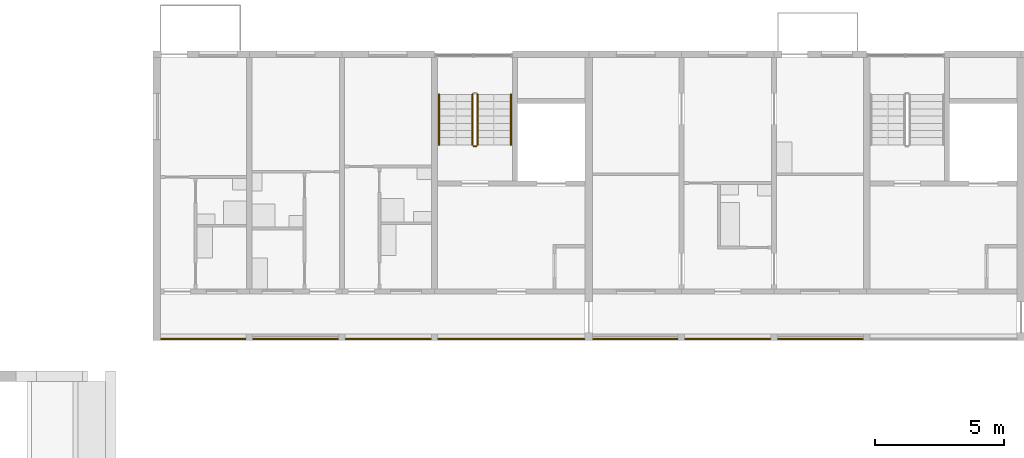
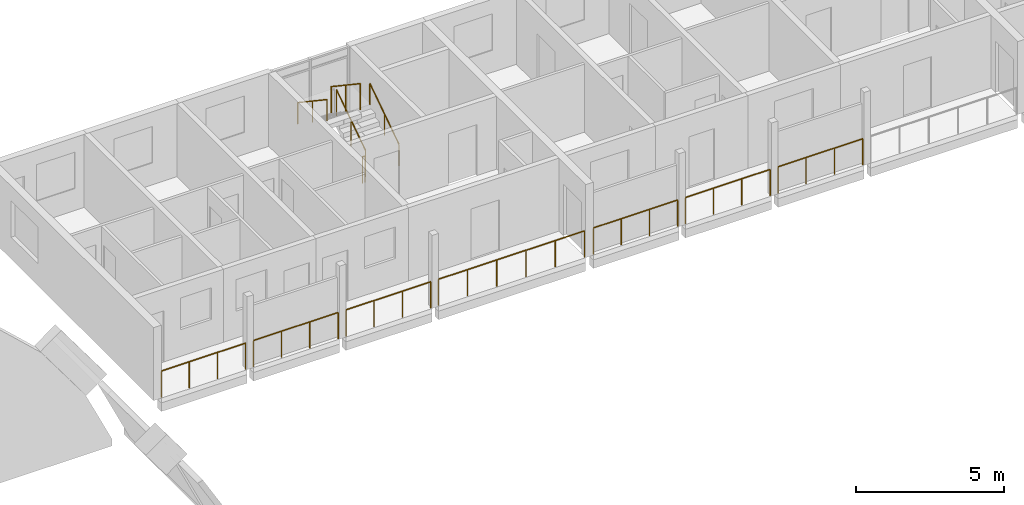
# One storey, part 89 of 100: 12 railings.
"""IFC4 building model written with IfcOpenShell, lengths in metres."""

from ifc_helpers import new_model, si_unit, direction, frame, origin, origin_2d, place, context, subcontext, project, spatial, circle, extrude, material, type_object, element, save


model = new_model("IFC4")

# Units and contexts
model_context = context("Model", 3, precision=1e-05, world=origin(), true_north=direction((0.0, 1.0)))
body_context = subcontext(model_context, "Body", "Model", "MODEL_VIEW")
ifc_project = project(units=[si_unit("LENGTHUNIT", "METRE"), si_unit("AREAUNIT", "SQUARE_METRE"), si_unit("VOLUMEUNIT", "CUBIC_METRE"), si_unit("PLANEANGLEUNIT", "RADIAN"), si_unit("MASSUNIT", "GRAM", prefix="KILO")], contexts=[model_context])

# Site, building, storey
site_placement = place(None, origin())
site = spatial("IfcSite", under=ifc_project, at=site_placement, CompositionType="ELEMENT")
building_placement = place(site_placement, origin())
building = spatial("IfcBuilding", under=site, at=building_placement, Name="Ridgestep Commons", CompositionType="ELEMENT")
storey_placement = place(building_placement, frame((0.0, 0.0, 9.0)))
storey = spatial("IfcBuildingStorey", under=building, at=storey_placement, Name="L03", CompositionType="ELEMENT", Elevation=9.0)

# Railings
ifc_material_1 = material(Name="Structural steel S355JR", Category="steel")
railing_type_1 = type_object("IfcRailingType", Name="Guard 1100", PredefinedType="GUARDRAIL", material=ifc_material_1)
railing_1_placement = place(storey_placement, frame((146.970947265625, 66.050048828125, 0.0)))
element("IfcRailing", 1, at=railing_1_placement, inside=storey, type_object=railing_type_1, Name="Gallery guard C 03.1", PredefinedType="GUARDRAIL", context=body_context, shape_type="SweptSolid", body=[
    extrude(circle(Radius=0.02392578125, at=origin_2d()), frame((0.0, 0.0, 1.076171875), z_axis=(1.0, 0.0, 0.0), x_axis=(0.0, 1.0, 0.0)), (0.0, 0.0, 1.0), 3.282958984375),
    extrude(circle(Radius=0.02099609375, at=origin_2d()), origin(), (0.0, 0.0, 1.0), 1.052001953125),
    extrude(circle(Radius=0.02099609375, at=origin_2d()), frame((1.09423828125, 0.0, 0.0)), (0.0, 0.0, 1.0), 1.052001953125),
    extrude(circle(Radius=0.02099609375, at=origin_2d()), frame((2.188720703125, 0.0, 0.0)), (0.0, 0.0, 1.0), 1.052001953125),
    extrude(circle(Radius=0.02099609375, at=origin_2d()), frame((3.282958984375, 0.0, 0.0)), (0.0, 0.0, 1.0), 1.052001953125),
])
for number, where, name in (
    (2, (150.5458984375, 66.050048828125, 0.0), "Gallery guard C 03.2"),
    (3, (154.14599609375, 66.050048828125, 0.0), "Gallery guard C 03.3"),
):
    element("IfcRailing", number, at=place(storey_placement, frame(where)), inside=storey, type_object=railing_type_1, Name=name, PredefinedType="GUARDRAIL", context=body_context, shape_type="SweptSolid", body=[
        extrude(circle(Radius=0.02392578125, at=origin_2d()), frame((0.0, 0.0, 1.076171875), z_axis=(1.0, 0.0, 0.0), x_axis=(0.0, 1.0, 0.0)), (0.0, 0.0, 1.0), 3.30810546875),
        extrude(circle(Radius=0.02099609375, at=origin_2d()), origin(), (0.0, 0.0, 1.0), 1.052001953125),
        extrude(circle(Radius=0.02099609375, at=origin_2d()), frame((1.102783203125, 0.0, 0.0)), (0.0, 0.0, 1.0), 1.052001953125),
        extrude(circle(Radius=0.02099609375, at=origin_2d()), frame((2.205322265625, 0.0, 0.0)), (0.0, 0.0, 1.0), 1.052001953125),
        extrude(circle(Radius=0.02099609375, at=origin_2d()), frame((3.30810546875, 0.0, 0.0)), (0.0, 0.0, 1.0), 1.052001953125),
    ])
railing_2_placement = place(storey_placement, frame((157.74609375, 66.050048828125, 0.0)))
element("IfcRailing", 4, at=railing_2_placement, inside=storey, type_object=railing_type_1, Name="Gallery guard C 03.4", PredefinedType="GUARDRAIL", context=body_context, shape_type="SweptSolid", body=[
    extrude(circle(Radius=0.02392578125, at=origin_2d()), frame((0.0, 0.0, 1.076171875), z_axis=(1.0, 0.0, 0.0), x_axis=(0.0, 1.0, 0.0)), (0.0, 0.0, 1.0), 5.682861328125),
    extrude(circle(Radius=0.02099609375, at=origin_2d()), origin(), (0.0, 0.0, 1.0), 1.052001953125),
    extrude(circle(Radius=0.02099609375, at=origin_2d()), frame((1.136474609375, 0.0, 0.0)), (0.0, 0.0, 1.0), 1.052001953125),
    extrude(circle(Radius=0.02099609375, at=origin_2d()), frame((2.273193359375, 0.0, 0.0)), (0.0, 0.0, 1.0), 1.052001953125),
    extrude(circle(Radius=0.02099609375, at=origin_2d()), frame((3.40966796875, 0.0, 0.0)), (0.0, 0.0, 1.0), 1.052001953125),
    extrude(circle(Radius=0.02099609375, at=origin_2d()), frame((4.54638671875, 0.0, 0.0)), (0.0, 0.0, 1.0), 1.052001953125),
    extrude(circle(Radius=0.02099609375, at=origin_2d()), frame((5.682861328125, 0.0, 0.0)), (0.0, 0.0, 1.0), 1.052001953125),
])
railing_3_placement = place(storey_placement, frame((163.77099609375, 66.050048828125, 0.0)))
element("IfcRailing", 5, at=railing_3_placement, inside=storey, type_object=railing_type_1, Name="Gallery guard C 03.5", PredefinedType="GUARDRAIL", context=body_context, shape_type="SweptSolid", body=[
    extrude(circle(Radius=0.02392578125, at=origin_2d()), frame((0.0, 0.0, 1.076171875), z_axis=(1.0, 0.0, 0.0), x_axis=(0.0, 1.0, 0.0)), (0.0, 0.0, 1.0), 3.282958984375),
    extrude(circle(Radius=0.02099609375, at=origin_2d()), origin(), (0.0, 0.0, 1.0), 1.052001953125),
    extrude(circle(Radius=0.02099609375, at=origin_2d()), frame((1.09423828125, 0.0, 0.0)), (0.0, 0.0, 1.0), 1.052001953125),
    extrude(circle(Radius=0.02099609375, at=origin_2d()), frame((2.188720703125, 0.0, 0.0)), (0.0, 0.0, 1.0), 1.052001953125),
    extrude(circle(Radius=0.02099609375, at=origin_2d()), frame((3.282958984375, 0.0, 0.0)), (0.0, 0.0, 1.0), 1.052001953125),
])
railing_4_placement = place(storey_placement, frame((167.345947265625, 66.050048828125, 0.0)))
element("IfcRailing", 6, at=railing_4_placement, inside=storey, type_object=railing_type_1, Name="Gallery guard C 03.6", PredefinedType="GUARDRAIL", context=body_context, shape_type="SweptSolid", body=[
    extrude(circle(Radius=0.02392578125, at=origin_2d()), frame((0.0, 0.0, 1.076171875), z_axis=(1.0, 0.0, 0.0), x_axis=(0.0, 1.0, 0.0)), (0.0, 0.0, 1.0), 3.30810546875),
    extrude(circle(Radius=0.02099609375, at=origin_2d()), origin(), (0.0, 0.0, 1.0), 1.052001953125),
    extrude(circle(Radius=0.02099609375, at=origin_2d()), frame((1.102783203125, 0.0, 0.0)), (0.0, 0.0, 1.0), 1.052001953125),
    extrude(circle(Radius=0.02099609375, at=origin_2d()), frame((2.205322265625, 0.0, 0.0)), (0.0, 0.0, 1.0), 1.052001953125),
    extrude(circle(Radius=0.02099609375, at=origin_2d()), frame((3.30810546875, 0.0, 0.0)), (0.0, 0.0, 1.0), 1.052001953125),
])
railing_5_placement = place(storey_placement, frame((170.946044921875, 66.050048828125, 0.0)))
element("IfcRailing", 7, at=railing_5_placement, inside=storey, type_object=railing_type_1, Name="Gallery guard C 03.7", PredefinedType="GUARDRAIL", context=body_context, shape_type="SweptSolid", body=[
    extrude(circle(Radius=0.02392578125, at=origin_2d()), frame((0.0, 0.0, 1.076171875), z_axis=(1.0, 0.0, 0.0), x_axis=(0.0, 1.0, 0.0)), (0.0, 0.0, 1.0), 3.307861328125),
    extrude(circle(Radius=0.02099609375, at=origin_2d()), origin(), (0.0, 0.0, 1.0), 1.052001953125),
    extrude(circle(Radius=0.02099609375, at=origin_2d()), frame((1.1025390625, 0.0, 0.0)), (0.0, 0.0, 1.0), 1.052001953125),
    extrude(circle(Radius=0.02099609375, at=origin_2d()), frame((2.205322265625, 0.0, 0.0)), (0.0, 0.0, 1.0), 1.052001953125),
    extrude(circle(Radius=0.02099609375, at=origin_2d()), frame((3.307861328125, 0.0, 0.0)), (0.0, 0.0, 1.0), 1.052001953125),
])
ifc_material_2 = material(Name="Structural steel S355JR", Category="steel")
railing_type_2 = type_object("IfcRailingType", Name="Stair guard 1100", PredefinedType="GUARDRAIL", material=ifc_material_2)
railing_6_placement = place(storey_placement, frame((159.27490234375, 73.60009765625, 0.1875)))
element("IfcRailing", 8, at=railing_6_placement, inside=storey, type_object=railing_type_2, Name="L03 C1C stair guard 1", PredefinedType="GUARDRAIL", context=body_context, shape_type="SweptSolid", body=[
    extrude(circle(Radius=0.02392578125, at=origin_2d()), frame((0.0, 0.0, 1.076171875), z_axis=(0.0, 0.830902050051, 0.556418712142), x_axis=(-1.0, 0.0, 0.0)), (0.0, 0.0, 1.0), 2.35888671875),
    extrude(circle(Radius=0.02099609375, at=origin_2d()), origin(), (0.0, 0.0, 1.0), 1.052001953125),
    extrude(circle(Radius=0.02099609375, at=origin_2d()), frame((0.0, 0.97998046875, 0.65625)), (0.0, 0.0, 1.0), 1.052001953125),
    extrude(circle(Radius=0.02099609375, at=origin_2d()), frame((0.0, 1.9599609375, 1.3125)), (0.0, 0.0, 1.0), 1.052001953125),
])
railing_7_placement = place(storey_placement, frame((159.074951171875, 75.56005859375, 1.6875)))
element("IfcRailing", 9, at=railing_7_placement, inside=storey, type_object=railing_type_2, Name="L03 C1C stair guard 3", PredefinedType="GUARDRAIL", context=body_context, shape_type="SweptSolid", body=[
    extrude(circle(Radius=0.02392578125, at=origin_2d()), frame((0.0, 0.0, 1.076171875), z_axis=(0.0, -0.830902050051, 0.556418712142), x_axis=(1.0, 0.0, 0.0)), (0.0, 0.0, 1.0), 2.35888671875),
    extrude(circle(Radius=0.02099609375, at=origin_2d()), origin(), (0.0, 0.0, 1.0), 1.052001953125),
    extrude(circle(Radius=0.02099609375, at=origin_2d()), frame((0.0, -0.97998046875, 0.65625)), (0.0, 0.0, 1.0), 1.052001953125),
    extrude(circle(Radius=0.02099609375, at=origin_2d()), frame((0.0, -1.9599609375, 1.3125)), (0.0, 0.0, 1.0), 1.052001953125),
])
railing_8_placement = place(storey_placement, frame((159.22509765625, 73.550048828125, 0.0)))
element("IfcRailing", 10, at=railing_8_placement, inside=storey, type_object=railing_type_2, Name="L03 C1C stair guard 4", PredefinedType="GUARDRAIL", context=body_context, shape_type="SweptSolid", body=[
    extrude(circle(Radius=0.02392578125, at=origin_2d()), frame((0.0, 0.0, 1.076171875), z_axis=(-1.0, 0.0, 0.0), x_axis=(0.0, -1.0, 0.0)), (0.0, 0.0, 1.0), 0.10009765625),
    extrude(circle(Radius=0.02099609375, at=origin_2d()), origin(), (0.0, 0.0, 1.0), 1.052001953125),
    extrude(circle(Radius=0.02099609375, at=origin_2d()), frame((-0.10009765625, 0.0, 0.0)), (0.0, 0.0, 1.0), 1.052001953125),
])
ifc_material_3 = material(Name="Structural steel S355JR", Category="steel")
railing_type_3 = type_object("IfcRailingType", Name="Stair handrail 900", PredefinedType="HANDRAIL", material=ifc_material_3)
railing_9_placement = place(storey_placement, frame((160.574951171875, 73.60009765625, 0.1875)))
element("IfcRailing", 11, at=railing_9_placement, inside=storey, type_object=railing_type_3, Name="L03 C1C stair handrail 1", PredefinedType="HANDRAIL", context=body_context, shape_type="SweptSolid", body=[
    extrude(circle(Radius=0.02392578125, at=origin_2d()), frame((0.0, 0.0, 0.8759765625), z_axis=(0.0, 0.830902050051, 0.556418712142), x_axis=(-1.0, 0.0, 0.0)), (0.0, 0.0, 1.0), 2.35888671875),
    extrude(circle(Radius=0.02099609375, at=origin_2d()), origin(), (0.0, 0.0, 1.0), 0.851806640625),
    extrude(circle(Radius=0.02099609375, at=origin_2d()), frame((0.0, 0.97998046875, 0.65625)), (0.0, 0.0, 1.0), 0.851806640625),
    extrude(circle(Radius=0.02099609375, at=origin_2d()), frame((0.0, 1.9599609375, 1.3125)), (0.0, 0.0, 1.0), 0.851806640625),
])
railing_10_placement = place(storey_placement, frame((157.77490234375, 75.56005859375, 1.6875)))
element("IfcRailing", 12, at=railing_10_placement, inside=storey, type_object=railing_type_3, Name="L03 C1C stair handrail 2", PredefinedType="HANDRAIL", context=body_context, shape_type="SweptSolid", body=[
    extrude(circle(Radius=0.02392578125, at=origin_2d()), frame((0.0, 0.0, 0.8759765625), z_axis=(0.0, -0.830902050051, 0.556418712142), x_axis=(1.0, 0.0, 0.0)), (0.0, 0.0, 1.0), 2.35888671875),
    extrude(circle(Radius=0.02099609375, at=origin_2d()), origin(), (0.0, 0.0, 1.0), 0.851806640625),
    extrude(circle(Radius=0.02099609375, at=origin_2d()), frame((0.0, -0.97998046875, 0.65625)), (0.0, 0.0, 1.0), 0.851806640625),
    extrude(circle(Radius=0.02099609375, at=origin_2d()), frame((0.0, -1.9599609375, 1.3125)), (0.0, 0.0, 1.0), 0.851806640625),
])

save(model, "model.ifc")
